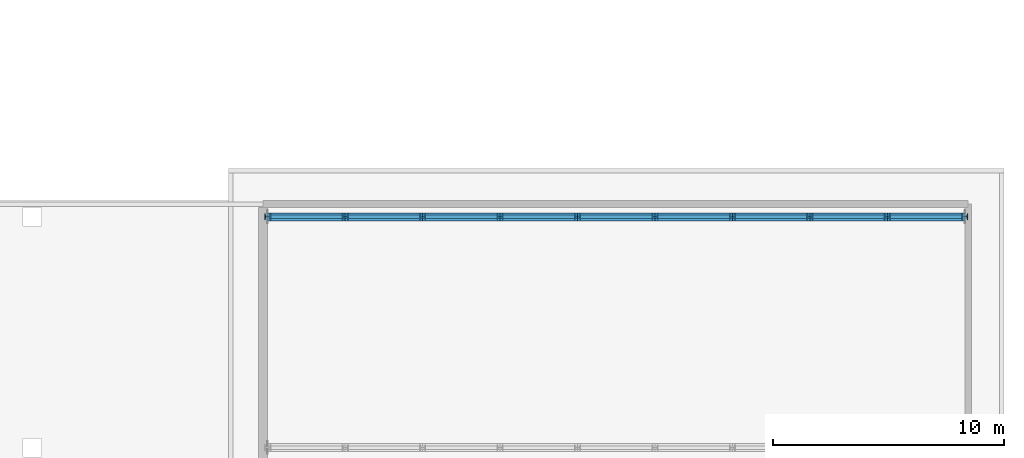
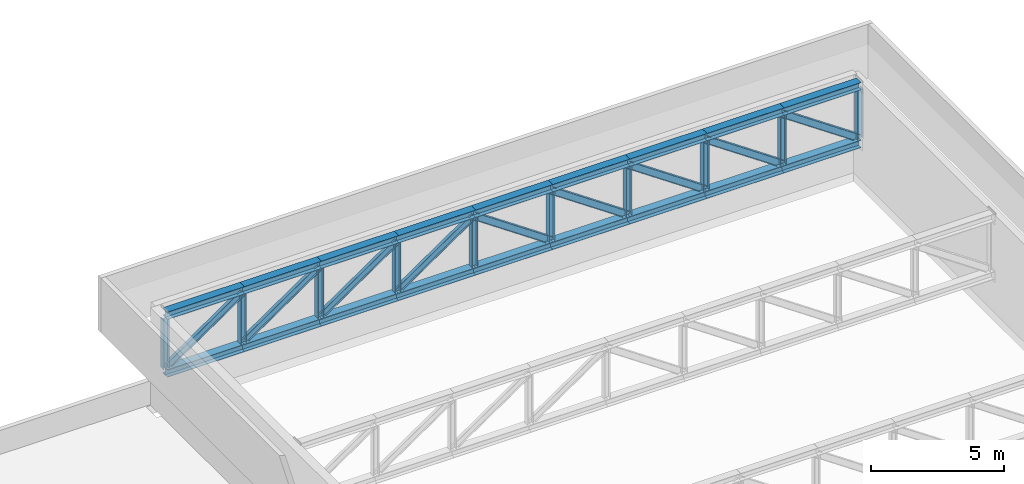
# One storey, part 13 of 31: 37 members.
"""IFC4 building model written with IfcOpenShell, lengths in metres."""

from ifc_helpers import new_model, si_unit, direction, frame, origin, origin_2d, place, context, subcontext, project, spatial, i_section, extrude, material, material_profile, profile_set, type_object, element, save


model = new_model("IFC4")

# Units and contexts
model_context = context("Model", 3, precision=1e-05, world=origin(), true_north=direction((0.0, 1.0)))
body_context = subcontext(model_context, "Body", "Model", "MODEL_VIEW")
ifc_project = project(units=[si_unit("LENGTHUNIT", "METRE"), si_unit("AREAUNIT", "SQUARE_METRE"), si_unit("VOLUMEUNIT", "CUBIC_METRE"), si_unit("PLANEANGLEUNIT", "RADIAN"), si_unit("MASSUNIT", "GRAM", prefix="KILO")], contexts=[model_context])

# Site, building, storey
site_placement = place(None, origin())
site = spatial("IfcSite", under=ifc_project, at=site_placement, CompositionType="ELEMENT")
building_placement = place(site_placement, origin())
building = spatial("IfcBuilding", under=site, at=building_placement, Name="Jabali Bay Hotel Tower and Convention Centre", CompositionType="ELEMENT")
storey_placement = place(building_placement, frame((0.0, 0.0, 25.39990234375)))
storey = spatial("IfcBuildingStorey", under=building, at=storey_placement, Name="L04", CompositionType="ELEMENT", Elevation=25.39990234375)

# Members
ifc_material = material(Name="Steel Q355B", Category="steel")
ifc_material_profile_1 = material_profile(ifc_material, i_section(OverallWidth=0.35009765625, OverallDepth=0.35009765625, WebThickness=0.011962890625, FlangeThickness=0.01904296875, at=origin_2d()), Name="HW350x350x12x19")
ifc_profile_set_1 = profile_set([ifc_material_profile_1], Name="Steel Q355B")
member_type_1 = type_object("IfcMemberType", Name="CC Roof Truss Chord HW350x350x12x19", PredefinedType="CHORD", material=ifc_profile_set_1)
for number, where, z_axis, x_axis, name in (
    (1, (220.89990234375, 110.0, 4.3251953125), (1.0, 0.0, 0.0), (0.0, 1.0, 0.0), "CC roof truss P5 top chord 1"),
    (2, (220.89990234375, 110.0, 1.675048828125), (1.0, 0.0, 0.0), (0.0, 1.0, 0.0), "CC roof truss P5 bottom chord 1"),
):
    element("IfcMember", number, at=place(storey_placement, frame(where, z_axis=z_axis, x_axis=x_axis)), inside=storey, type_object=member_type_1, Name=name, PredefinedType="CHORD", context=body_context, shape_type="SweptSolid", body=[
        extrude(i_section(OverallWidth=0.35009765625, OverallDepth=0.35009765625, WebThickness=0.011962890625, FlangeThickness=0.01904296875, at=origin_2d()), origin(), (0.0, 0.0, 1.0), 3.355712890625),
    ])
for number, where, z_axis, x_axis, name in (
    (3, (224.255615234375, 110.0, 4.3251953125), (1.0, 0.0, 0.0), (0.0, 1.0, 0.0), "CC roof truss P5 top chord 2"),
    (4, (224.255615234375, 110.0, 1.675048828125), (1.0, 0.0, 0.0), (0.0, 1.0, 0.0), "CC roof truss P5 bottom chord 2"),
    (5, (227.611083984375, 110.0, 4.3251953125), (1.0, 0.0, 0.0), (0.0, 1.0, 0.0), "CC roof truss P5 top chord 3"),
    (6, (227.611083984375, 110.0, 1.675048828125), (1.0, 0.0, 0.0), (0.0, 1.0, 0.0), "CC roof truss P5 bottom chord 3"),
):
    element("IfcMember", number, at=place(storey_placement, frame(where, z_axis=z_axis, x_axis=x_axis)), inside=storey, type_object=member_type_1, Name=name, PredefinedType="CHORD", context=body_context, shape_type="SweptSolid", body=[
        extrude(i_section(OverallWidth=0.35009765625, OverallDepth=0.35009765625, WebThickness=0.011962890625, FlangeThickness=0.01904296875, at=origin_2d()), origin(), (0.0, 0.0, 1.0), 3.35546875),
    ])
for number, where, z_axis, x_axis, name in (
    (7, (230.966552734375, 110.0, 4.3251953125), (1.0, 0.0, 0.0), (0.0, 1.0, 0.0), "CC roof truss P5 top chord 4"),
    (8, (230.966552734375, 110.0, 1.675048828125), (1.0, 0.0, 0.0), (0.0, 1.0, 0.0), "CC roof truss P5 bottom chord 4"),
):
    element("IfcMember", number, at=place(storey_placement, frame(where, z_axis=z_axis, x_axis=x_axis)), inside=storey, type_object=member_type_1, Name=name, PredefinedType="CHORD", context=body_context, shape_type="SweptSolid", body=[
        extrude(i_section(OverallWidth=0.35009765625, OverallDepth=0.35009765625, WebThickness=0.011962890625, FlangeThickness=0.01904296875, at=origin_2d()), origin(), (0.0, 0.0, 1.0), 3.355712890625),
    ])
for number, where, z_axis, x_axis, name in (
    (9, (234.322265625, 110.0, 4.3251953125), (1.0, 0.0, 0.0), (0.0, 1.0, 0.0), "CC roof truss P5 top chord 5"),
    (10, (234.322265625, 110.0, 1.675048828125), (1.0, 0.0, 0.0), (0.0, 1.0, 0.0), "CC roof truss P5 bottom chord 5"),
):
    element("IfcMember", number, at=place(storey_placement, frame(where, z_axis=z_axis, x_axis=x_axis)), inside=storey, type_object=member_type_1, Name=name, PredefinedType="CHORD", context=body_context, shape_type="SweptSolid", body=[
        extrude(i_section(OverallWidth=0.35009765625, OverallDepth=0.35009765625, WebThickness=0.011962890625, FlangeThickness=0.01904296875, at=origin_2d()), origin(), (0.0, 0.0, 1.0), 3.35546875),
    ])
for number, where, z_axis, x_axis, name in (
    (11, (237.677734375, 110.0, 4.3251953125), (1.0, 0.0, 0.0), (0.0, 1.0, 0.0), "CC roof truss P5 top chord 6"),
    (12, (237.677734375, 110.0, 1.675048828125), (1.0, 0.0, 0.0), (0.0, 1.0, 0.0), "CC roof truss P5 bottom chord 6"),
):
    element("IfcMember", number, at=place(storey_placement, frame(where, z_axis=z_axis, x_axis=x_axis)), inside=storey, type_object=member_type_1, Name=name, PredefinedType="CHORD", context=body_context, shape_type="SweptSolid", body=[
        extrude(i_section(OverallWidth=0.35009765625, OverallDepth=0.35009765625, WebThickness=0.011962890625, FlangeThickness=0.01904296875, at=origin_2d()), origin(), (0.0, 0.0, 1.0), 3.355712890625),
    ])
for number, where, z_axis, x_axis, name in (
    (13, (241.033447265625, 110.0, 4.3251953125), (1.0, 0.0, 0.0), (0.0, 1.0, 0.0), "CC roof truss P5 top chord 7"),
    (14, (241.033447265625, 110.0, 1.675048828125), (1.0, 0.0, 0.0), (0.0, 1.0, 0.0), "CC roof truss P5 bottom chord 7"),
    (15, (244.388916015625, 110.0, 4.3251953125), (1.0, 0.0, 0.0), (0.0, 1.0, 0.0), "CC roof truss P5 top chord 8"),
    (16, (244.388916015625, 110.0, 1.675048828125), (1.0, 0.0, 0.0), (0.0, 1.0, 0.0), "CC roof truss P5 bottom chord 8"),
):
    element("IfcMember", number, at=place(storey_placement, frame(where, z_axis=z_axis, x_axis=x_axis)), inside=storey, type_object=member_type_1, Name=name, PredefinedType="CHORD", context=body_context, shape_type="SweptSolid", body=[
        extrude(i_section(OverallWidth=0.35009765625, OverallDepth=0.35009765625, WebThickness=0.011962890625, FlangeThickness=0.01904296875, at=origin_2d()), origin(), (0.0, 0.0, 1.0), 3.35546875),
    ])
for number, where, z_axis, x_axis, name in (
    (17, (247.744384765625, 110.0, 4.3251953125), (1.0, 0.0, 0.0), (0.0, 1.0, 0.0), "CC roof truss P5 top chord 9"),
    (18, (247.744384765625, 110.0, 1.675048828125), (1.0, 0.0, 0.0), (0.0, 1.0, 0.0), "CC roof truss P5 bottom chord 9"),
):
    element("IfcMember", number, at=place(storey_placement, frame(where, z_axis=z_axis, x_axis=x_axis)), inside=storey, type_object=member_type_1, Name=name, PredefinedType="CHORD", context=body_context, shape_type="SweptSolid", body=[
        extrude(i_section(OverallWidth=0.35009765625, OverallDepth=0.35009765625, WebThickness=0.011962890625, FlangeThickness=0.01904296875, at=origin_2d()), origin(), (0.0, 0.0, 1.0), 3.355712890625),
    ])
ifc_material_profile_2 = material_profile(ifc_material, i_section(OverallWidth=0.14990234375, OverallDepth=0.300048828125, WebThickness=0.006591796875, FlangeThickness=0.009033203125, at=origin_2d()), Name="HN300x150x6.5x9")
ifc_profile_set_2 = profile_set([ifc_material_profile_2], Name="Steel Q355B")
member_type_2 = type_object("IfcMemberType", Name="CC Roof Truss Diagonal HN300x150x6.5x9", PredefinedType="BRACE", material=ifc_profile_set_2)
member_1_placement = place(storey_placement, frame((220.89990234375, 110.0, 1.85009765625), z_axis=(0.824844790455, 0.0, 0.565359241243), x_axis=(0.0, 1.0, 0.0)))
element("IfcMember", 19, at=member_1_placement, inside=storey, type_object=member_type_2, Name="CC roof truss P5 diagonal 1", PredefinedType="BRACE", context=body_context, shape_type="SweptSolid", body=[
    extrude(i_section(OverallWidth=0.14990234375, OverallDepth=0.300048828125, WebThickness=0.006591796875, FlangeThickness=0.009033203125, at=origin_2d()), origin(), (0.0, 0.0, 1.0), 4.068359375),
])
for number, where, z_axis, x_axis, name in (
    (20, (224.255615234375, 110.0, 1.85009765625), (0.8248256078, 0.0, 0.565387227232), (0.0, 1.0, 0.0), "CC roof truss P5 diagonal 2"),
    (21, (227.611083984375, 110.0, 1.85009765625), (0.8248256078, 0.0, 0.565387227232), (0.0, 1.0, 0.0), "CC roof truss P5 diagonal 3"),
):
    element("IfcMember", number, at=place(storey_placement, frame(where, z_axis=z_axis, x_axis=x_axis)), inside=storey, type_object=member_type_2, Name=name, PredefinedType="BRACE", context=body_context, shape_type="SweptSolid", body=[
        extrude(i_section(OverallWidth=0.14990234375, OverallDepth=0.300048828125, WebThickness=0.006591796875, FlangeThickness=0.009033203125, at=origin_2d()), origin(), (0.0, 0.0, 1.0), 4.068115234375),
    ])
member_2_placement = place(storey_placement, frame((230.966552734375, 110.0, 1.85009765625), z_axis=(0.824844790455, 0.0, 0.565359241243), x_axis=(0.0, 1.0, 0.0)))
element("IfcMember", 22, at=member_2_placement, inside=storey, type_object=member_type_2, Name="CC roof truss P5 diagonal 4", PredefinedType="BRACE", context=body_context, shape_type="SweptSolid", body=[
    extrude(i_section(OverallWidth=0.14990234375, OverallDepth=0.300048828125, WebThickness=0.006591796875, FlangeThickness=0.009033203125, at=origin_2d()), origin(), (0.0, 0.0, 1.0), 4.068359375),
])
member_3_placement = place(storey_placement, frame((237.677734375, 110.0, 1.85009765625), z_axis=(-0.8248256078, 0.0, 0.565387227232), x_axis=(0.0, -1.0, 0.0)))
element("IfcMember", 23, at=member_3_placement, inside=storey, type_object=member_type_2, Name="CC roof truss P5 diagonal 5", PredefinedType="BRACE", context=body_context, shape_type="SweptSolid", body=[
    extrude(i_section(OverallWidth=0.14990234375, OverallDepth=0.300048828125, WebThickness=0.006591796875, FlangeThickness=0.009033203125, at=origin_2d()), origin(), (0.0, 0.0, 1.0), 4.068115234375),
])
member_4_placement = place(storey_placement, frame((241.033447265625, 110.0, 1.85009765625), z_axis=(-0.824844790455, 0.0, 0.565359241243), x_axis=(0.0, -1.0, 0.0)))
element("IfcMember", 24, at=member_4_placement, inside=storey, type_object=member_type_2, Name="CC roof truss P5 diagonal 6", PredefinedType="BRACE", context=body_context, shape_type="SweptSolid", body=[
    extrude(i_section(OverallWidth=0.14990234375, OverallDepth=0.300048828125, WebThickness=0.006591796875, FlangeThickness=0.009033203125, at=origin_2d()), origin(), (0.0, 0.0, 1.0), 4.068359375),
])
for number, where, z_axis, x_axis, name in (
    (25, (244.388916015625, 110.0, 1.85009765625), (-0.8248256078, 0.0, 0.565387227232), (0.0, -1.0, 0.0), "CC roof truss P5 diagonal 7"),
    (26, (247.744384765625, 110.0, 1.85009765625), (-0.8248256078, 0.0, 0.565387227232), (0.0, -1.0, 0.0), "CC roof truss P5 diagonal 8"),
):
    element("IfcMember", number, at=place(storey_placement, frame(where, z_axis=z_axis, x_axis=x_axis)), inside=storey, type_object=member_type_2, Name=name, PredefinedType="BRACE", context=body_context, shape_type="SweptSolid", body=[
        extrude(i_section(OverallWidth=0.14990234375, OverallDepth=0.300048828125, WebThickness=0.006591796875, FlangeThickness=0.009033203125, at=origin_2d()), origin(), (0.0, 0.0, 1.0), 4.068115234375),
    ])
member_5_placement = place(storey_placement, frame((251.10009765625, 110.0, 1.85009765625), z_axis=(-0.824844790455, 0.0, 0.565359241243), x_axis=(0.0, -1.0, 0.0)))
element("IfcMember", 27, at=member_5_placement, inside=storey, type_object=member_type_2, Name="CC roof truss P5 diagonal 9", PredefinedType="BRACE", context=body_context, shape_type="SweptSolid", body=[
    extrude(i_section(OverallWidth=0.14990234375, OverallDepth=0.300048828125, WebThickness=0.006591796875, FlangeThickness=0.009033203125, at=origin_2d()), origin(), (0.0, 0.0, 1.0), 4.068359375),
])
ifc_material_profile_3 = material_profile(ifc_material, i_section(OverallWidth=0.25, OverallDepth=0.25, WebThickness=0.009033203125, FlangeThickness=0.013916015625, at=origin_2d()), Name="HW250x250x9x14")
ifc_profile_set_3 = profile_set([ifc_material_profile_3], Name="Steel Q355B")
member_type_3 = type_object("IfcMemberType", Name="CC Roof Truss Post HW250x250x9x14", PredefinedType="POST", material=ifc_profile_set_3)
for number, where, z_axis, x_axis, name in (
    (28, (220.89990234375, 110.0, 1.85009765625), (0.0, 0.0, 1.0), (0.0, 1.0, 0.0), "CC roof truss P5 post 1"),
    (29, (224.255615234375, 110.0, 1.85009765625), (0.0, 0.0, 1.0), (0.0, 1.0, 0.0), "CC roof truss P5 post 2"),
    (30, (227.611083984375, 110.0, 1.85009765625), (0.0, 0.0, 1.0), (0.0, 1.0, 0.0), "CC roof truss P5 post 3"),
    (31, (230.966552734375, 110.0, 1.85009765625), (0.0, 0.0, 1.0), (0.0, 1.0, 0.0), "CC roof truss P5 post 4"),
    (32, (234.322265625, 110.0, 1.85009765625), (0.0, 0.0, 1.0), (0.0, 1.0, 0.0), "CC roof truss P5 post 5"),
    (33, (237.677734375, 110.0, 1.85009765625), (0.0, 0.0, 1.0), (0.0, 1.0, 0.0), "CC roof truss P5 post 6"),
    (34, (241.033447265625, 110.0, 1.85009765625), (0.0, 0.0, 1.0), (0.0, 1.0, 0.0), "CC roof truss P5 post 7"),
    (35, (244.388916015625, 110.0, 1.85009765625), (0.0, 0.0, 1.0), (0.0, 1.0, 0.0), "CC roof truss P5 post 8"),
    (36, (247.744384765625, 110.0, 1.85009765625), (0.0, 0.0, 1.0), (0.0, 1.0, 0.0), "CC roof truss P5 post 9"),
    (37, (251.10009765625, 110.0, 1.85009765625), (0.0, 0.0, 1.0), (0.0, 1.0, 0.0), "CC roof truss P5 post 10"),
):
    element("IfcMember", number, at=place(storey_placement, frame(where, z_axis=z_axis, x_axis=x_axis)), inside=storey, type_object=member_type_3, Name=name, PredefinedType="POST", context=body_context, shape_type="SweptSolid", body=[
        extrude(i_section(OverallWidth=0.25, OverallDepth=0.25, WebThickness=0.009033203125, FlangeThickness=0.013916015625, at=origin_2d()), origin(), (0.0, 0.0, 1.0), 2.300048828125),
    ])

save(model, "model.ifc")
